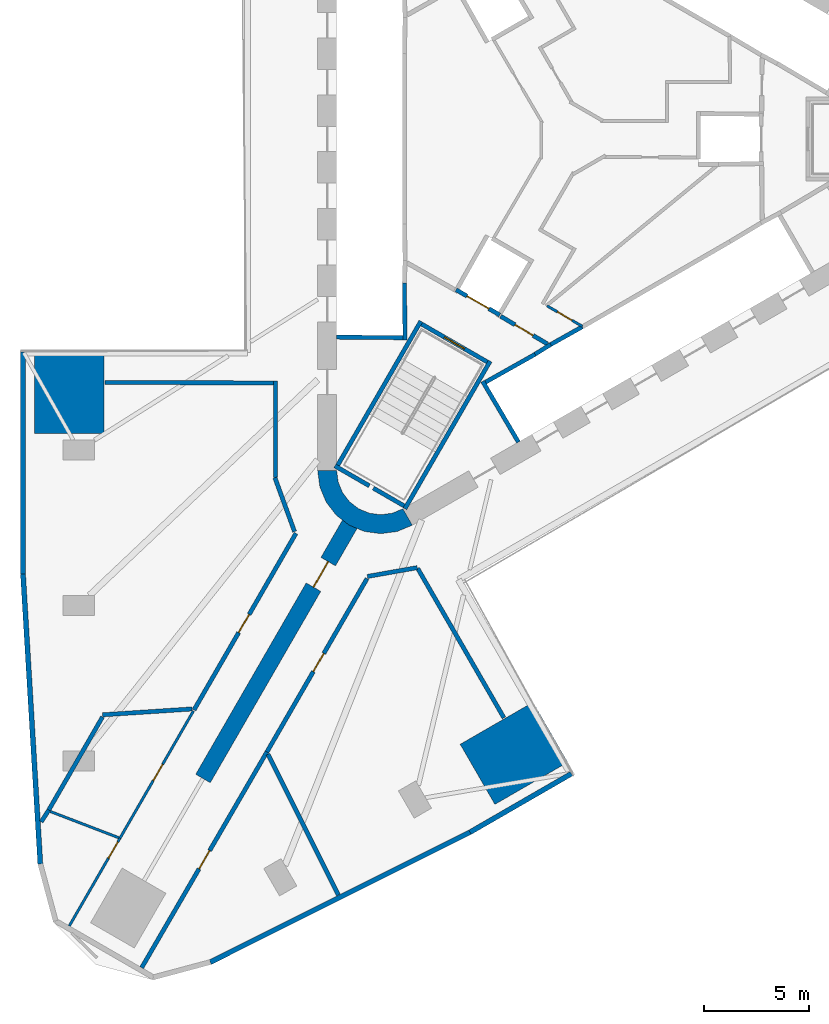
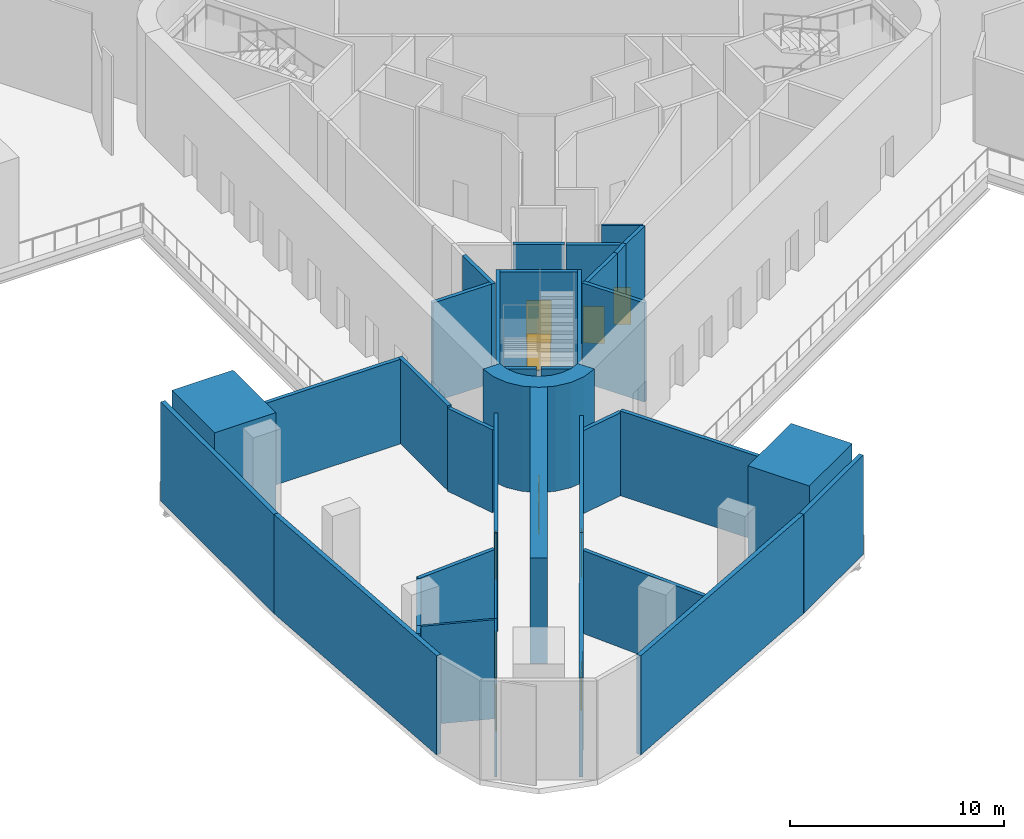
# One storey, part 3 of 11: 37 walls, 10 doors, 10 openings.
"""IFC4 building model written with IfcOpenShell, lengths in metres."""

from ifc_helpers import new_model, si_unit, direction, frame, frame_2d, origin, place, context, subcontext, project, spatial, polyline, rectangle, outline, extrude, material, layer, layer_set, type_object, element, fill, save


model = new_model("IFC4")

# Units and contexts
model_context = context("Model", 3, precision=1e-05, world=origin(), true_north=direction((0.0, 1.0)))
body_context = subcontext(model_context, "Body", "Model", "MODEL_VIEW")
ifc_project = project(units=[si_unit("LENGTHUNIT", "METRE"), si_unit("AREAUNIT", "SQUARE_METRE"), si_unit("VOLUMEUNIT", "CUBIC_METRE"), si_unit("PLANEANGLEUNIT", "RADIAN"), si_unit("MASSUNIT", "GRAM", prefix="KILO")], contexts=[model_context])

# Site, building, storey
site_placement = place(None, origin())
site = spatial("IfcSite", under=ifc_project, at=site_placement, CompositionType="ELEMENT")
building_placement = place(site_placement, origin())
building = spatial("IfcBuilding", under=site, at=building_placement, Name="Tanit Gate Tower", CompositionType="ELEMENT")
storey_placement = place(building_placement, frame((0.0, 0.0, 33.5)))
storey = spatial("IfcBuildingStorey", under=building, at=storey_placement, Name="L05", CompositionType="ELEMENT", Elevation=33.5)

# Wall, opening, door
ifc_material_1 = material(Name="Concrete C60/75", Category="concrete")
ifc_layer_1 = layer(ifc_material_1, 0.800048828125)
ifc_layer_set_1 = layer_set([ifc_layer_1], Name="BUTTRESS FIN 800 C60/75")
wall_type_1 = type_object("IfcWallType", Name="BUTTRESS FIN 800 C60/75", PredefinedType="SHEAR", material=ifc_layer_set_1)
wall_1_placement = place(storey_placement, frame((-10.574951171875, -18.31640625, 0.0), z_axis=(0.0, 0.0, 1.0), x_axis=(-0.499996575515, -0.866027380903, 0.0)))
wall_1 = element("IfcWall", 1, at=wall_1_placement, inside=storey, type_object=wall_type_1, Name="BUTTRESS FIN", PredefinedType="SHEAR", context=body_context, shape_type="SweptSolid", body=[
    extrude(rectangle(XDim=13.9541015625, YDim=0.800048828125, at=frame_2d((6.97705078125, 0.0))), origin(), (0.0, 0.0, 1.0), 6.0),
])
opening_1_placement = place(wall_1_placement, frame((2.050048828125, 0.0, 0.0)))
opening_1 = element("IfcOpeningElement", 2, at=opening_1_placement, cuts=wall_1, Name="Opening P14-05-F-SW-1", PredefinedType="OPENING", context=body_context, shape_type="SweptSolid", body=[
    extrude(rectangle(XDim=1.39990234375, YDim=2.39990234375, at=frame_2d((0.699951171875, 1.199951171875))), frame((0.0, 0.41015625, 0.0), z_axis=(0.0, -1.0, 0.0), x_axis=(1.0, 0.0, 0.0)), (0.0, 0.0, 1.0), 0.820068359375),
])
ifc_material_2 = material(Name="Timber door leaf", Category="wood")
door_type_1 = type_object("IfcDoorType", Name="INT-DOOR-FIN-PAIR-1400", OperationType="NOTDEFINED", PredefinedType="NOTDEFINED", material=ifc_material_2)
door_1_placement = place(opening_1_placement, origin())
door_1 = element("IfcDoor", 3, at=door_1_placement, inside=storey, type_object=door_type_1, Name="Door P14-05-F-SW-1", OperationType="DOUBLE_DOOR_SINGLE_SWING", OverallHeight=2.39990234375, OverallWidth=1.39990234375, PredefinedType="NOTDEFINED", context=body_context, shape_type="SweptSolid", body=[
    extrude(rectangle(XDim=1.39990234375, YDim=2.39990234375, at=frame_2d((0.699951171875, 1.199951171875))), frame((0.0, 0.02490234375, 0.0), z_axis=(0.0, -1.0, 0.0), x_axis=(1.0, 0.0, 0.0)), (0.0, 0.0, 1.0), 0.050048828125),
])
fill(opening_1, door_1)

# Walls
ifc_material_3 = material(Name="Concrete C60/75", Category="concrete")
ifc_layer_2 = layer(ifc_material_3, 0.89990234375)
ifc_layer_set_2 = layer_set([ifc_layer_2], Name="CORE WALL 900 C60/75")
wall_type_2 = type_object("IfcWallType", Name="CORE WALL 900 C60/75", PredefinedType="SHEAR", material=ifc_layer_set_2)
wall_2_placement = place(storey_placement, origin())
element("IfcWall", 4, at=wall_2_placement, inside=storey, type_object=wall_type_2, Name="CORE WALL CORNER", PredefinedType="SHEAR", context=body_context, shape_type="SweptSolid", body=[
    extrude(outline(polyline([(-12.10009765625, -15.76171875), (-11.997802734375, -16.5380859375), (-11.697998046875, -17.26171875), (-11.22119140625, -17.883056640625), (-10.60009765625, -18.359619140625), (-9.87646484375, -18.659423828125), (-9.10009765625, -18.76171875), (-8.323486328125, -18.659423828125), (-7.60009765625, -18.359619140625), (-8.050048828125, -17.580322265625), (-8.556396484375, -17.7900390625), (-9.10009765625, -17.86181640625), (-9.6435546875, -17.7900390625), (-10.14990234375, -17.580322265625), (-10.5849609375, -17.24658203125), (-10.918701171875, -16.811767578125), (-11.12841796875, -16.30517578125), (-11.199951171875, -15.76171875), (-12.10009765625, -15.76171875)])), origin(), (0.0, 0.0, 1.0), 6.0),
])
ifc_material_4 = material(Name="Concrete C30/37 with bronze anodised aluminium cladding", Category="concrete")
ifc_layer_3 = layer(ifc_material_4, 0.239990234375)
ifc_layer_set_3 = layer_set([ifc_layer_3], Name="Facade wall bronze clad 240")
wall_type_3 = type_object("IfcWallType", Name="Facade wall bronze clad 240", PredefinedType="SOLIDWALL", material=ifc_layer_set_3)
wall_3_placement = place(storey_placement, frame((-26.107666015625, -10.119384765625, 0.0), z_axis=(0.0, 0.0, 1.0), x_axis=(6.9319284e-05, -0.999999997597, 0.0)))
element("IfcWall", 5, at=wall_3_placement, inside=storey, type_object=wall_type_3, Name="Bronze-clad facade wall L05 W2b", PredefinedType="SOLIDWALL", context=body_context, shape_type="SweptSolid", body=[
    extrude(rectangle(XDim=10.56591796875, YDim=0.239990234375, at=frame_2d((5.282958984375, 0.0))), origin(), (0.0, 0.0, 1.0), 5.64990234375),
])
wall_4_placement = place(storey_placement, frame((-26.10693359375, -20.685302734375, 0.0), z_axis=(0.0, 0.0, 1.0), x_axis=(0.059596169304, -0.998222568671, 0.0)))
element("IfcWall", 6, at=wall_4_placement, inside=storey, type_object=wall_type_3, Name="Bronze-clad facade wall L05 W3", PredefinedType="SOLIDWALL", context=body_context, shape_type="SweptSolid", body=[
    extrude(rectangle(XDim=13.80126953125, YDim=0.239990234375, at=frame_2d((6.900634765625, 0.0))), origin(), (0.0, 0.0, 1.0), 5.64990234375),
])
wall_5_placement = place(storey_placement, frame((-17.202880859375, -39.1279296875, 0.0), z_axis=(0.0, 0.0, 1.0), x_axis=(0.894377655106, 0.447312653573, 0.0)))
element("IfcWall", 7, at=wall_5_placement, inside=storey, type_object=wall_type_3, Name="Bronze-clad facade wall L05 SE1", PredefinedType="SOLIDWALL", context=body_context, shape_type="SweptSolid", body=[
    extrude(rectangle(XDim=13.801513671875, YDim=0.239990234375, at=frame_2d((6.90087890625, 0.0))), origin(), (0.0, 0.0, 1.0), 5.64990234375),
])
wall_6_placement = place(storey_placement, frame((-4.859130859375, -32.954345703125, 0.0), z_axis=(0.0, 0.0, 1.0), x_axis=(0.865999312459, 0.500045188778, 0.0)))
element("IfcWall", 8, at=wall_6_placement, inside=storey, type_object=wall_type_3, Name="Bronze-clad facade wall L05 SE2a", PredefinedType="SOLIDWALL", context=body_context, shape_type="SweptSolid", body=[
    extrude(rectangle(XDim=5.56591796875, YDim=0.239990234375, at=frame_2d((2.782958984375, 0.0))), origin(), (0.0, 0.0, 1.0), 5.64990234375),
])

# Wall, opening, door
ifc_material_5 = material(Name="Fire-rated gypsum board partition")
ifc_layer_4 = layer(ifc_material_5, 0.199951171875)
ifc_layer_set_4 = layer_set([ifc_layer_4], Name="INT-WALL-COMPARTMENT")
wall_type_4 = type_object("IfcWallType", Name="INT-WALL-COMPARTMENT", PredefinedType="PARTITIONING", material=ifc_layer_set_4)
wall_7_placement = place(storey_placement, frame((-3.400634765625, -8.43017578125, 0.0), z_axis=(0.0, 0.0, 1.0), x_axis=(0.860598681535, -0.509283721849, 0.0)))
wall_7 = element("IfcWall", 9, at=wall_7_placement, inside=storey, type_object=wall_type_4, Name="Wall Compartment W068", PredefinedType="PARTITIONING", context=body_context, shape_type="SweptSolid", body=[
    extrude(rectangle(XDim=2.5810546875, YDim=0.199951171875, at=frame_2d((1.29052734375, 0.0))), origin(), (0.0, 0.0, 1.0), 5.64990234375),
])
opening_2_placement = place(wall_7_placement, frame((0.79052734375, 0.0, 0.0)))
opening_2 = element("IfcOpeningElement", 10, at=opening_2_placement, cuts=wall_7, Name="Opening F10-05-08", PredefinedType="OPENING", context=body_context, shape_type="SweptSolid", body=[
    extrude(rectangle(XDim=1.0, YDim=2.10009765625, at=frame_2d((0.5, 1.050048828125))), frame((0.0, 0.10986328125, 0.0), z_axis=(0.0, -1.0, 0.0), x_axis=(1.0, 0.0, 0.0)), (0.0, 0.0, 1.0), 0.219970703125),
])
ifc_material_6 = material(Name="Fire-rated steel door leaf", Category="steel")
door_type_2 = type_object("IfcDoorType", Name="INT-DOOR-FIRE-1000", OperationType="NOTDEFINED", PredefinedType="USERDEFINED", material=ifc_material_6)
door_2_placement = place(opening_2_placement, origin())
door_2 = element("IfcDoor", 11, at=door_2_placement, inside=storey, type_object=door_type_2, Name="Door F10-05-08", ObjectType="FIRE DOOR", OperationType="SINGLE_SWING_LEFT", OverallHeight=2.10009765625, OverallWidth=1.0, PredefinedType="USERDEFINED", context=body_context, shape_type="SweptSolid", body=[
    extrude(rectangle(XDim=1.0, YDim=2.10009765625, at=frame_2d((0.5, 1.050048828125))), frame((0.0, 0.02490234375, 0.0), z_axis=(0.0, -1.0, 0.0), x_axis=(1.0, 0.0, 0.0)), (0.0, 0.0, 1.0), 0.050048828125),
])
fill(opening_2, door_2)

wall_8_placement = place(storey_placement, frame((-17.98046875, -27.14306640625, 0.0), z_axis=(0.0, 0.0, 1.0), x_axis=(0.499987665054, 0.866032525252, 0.0)))
wall_8 = element("IfcWall", 12, at=wall_8_placement, inside=storey, type_object=wall_type_4, Name="Wall Compartment W091", PredefinedType="PARTITIONING", context=body_context, shape_type="SweptSolid", body=[
    extrude(rectangle(XDim=9.695068359375, YDim=0.199951171875, at=frame_2d((4.84765625, 0.0))), origin(), (0.0, 0.0, 1.0), 5.64990234375),
])
opening_3_placement = place(wall_8_placement, frame((4.248779296875, 0.0, 0.0)))
opening_3 = element("IfcOpeningElement", 13, at=opening_3_placement, cuts=wall_8, Name="Opening F10-05-16", PredefinedType="OPENING", context=body_context, shape_type="SweptSolid", body=[
    extrude(rectangle(XDim=1.0, YDim=2.10009765625, at=frame_2d((0.5, 1.050048828125))), frame((0.0, 0.10986328125, 0.0), z_axis=(0.0, -1.0, 0.0), x_axis=(1.0, 0.0, 0.0)), (0.0, 0.0, 1.0), 0.219970703125),
])
door_3_placement = place(opening_3_placement, origin())
door_3 = element("IfcDoor", 14, at=door_3_placement, inside=storey, type_object=door_type_2, Name="Door F10-05-16", ObjectType="FIRE DOOR", OperationType="SINGLE_SWING_RIGHT", OverallHeight=2.10009765625, OverallWidth=1.0, PredefinedType="USERDEFINED", context=body_context, shape_type="SweptSolid", body=[
    extrude(rectangle(XDim=1.0, YDim=2.10009765625, at=frame_2d((0.5, 1.050048828125))), frame((0.0, 0.02490234375, 0.0), z_axis=(0.0, -1.0, 0.0), x_axis=(1.0, 0.0, 0.0)), (0.0, 0.0, 1.0), 0.050048828125),
])
fill(opening_3, door_3)

# Walls
wall_9_placement = place(storey_placement, frame((-14.13427734375, -16.099609375, 0.0), z_axis=(0.0, 0.0, 1.0), x_axis=(0.341951326322, -0.939717665273, 0.0)))
element("IfcWall", 15, at=wall_9_placement, inside=storey, type_object=wall_type_4, Name="Wall Compartment W092", PredefinedType="PARTITIONING", context=body_context, shape_type="SweptSolid", body=[
    extrude(rectangle(XDim=2.7294921875, YDim=0.199951171875, at=frame_2d((1.36474609375, 0.0))), origin(), (0.0, 0.0, 1.0), 4.72998046875),
])
wall_10_placement = place(storey_placement, frame((-14.10009765625, -11.50146484375, 0.0), z_axis=(0.0, 0.0, 1.0), x_axis=(0.0, -1.0, 0.0)))
element("IfcWall", 16, at=wall_10_placement, inside=storey, type_object=wall_type_4, Name="Wall Compartment W093", PredefinedType="PARTITIONING", context=body_context, shape_type="SweptSolid", body=[
    extrude(rectangle(XDim=4.59228515625, YDim=0.199951171875, at=frame_2d((2.296142578125, 0.0))), origin(), (0.0, 0.0, 1.0), 4.830078125),
])
wall_11_placement = place(storey_placement, frame((-22.203369140625, -11.570068359375, 0.0), z_axis=(0.0, 0.0, 1.0), x_axis=(0.999992495389, -0.003874166344, 0.0)))
element("IfcWall", 17, at=wall_11_placement, inside=storey, type_object=wall_type_4, Name="Wall Compartment W094", PredefinedType="PARTITIONING", context=body_context, shape_type="SweptSolid", body=[
    extrude(rectangle(XDim=8.003173828125, YDim=0.199951171875, at=frame_2d((4.00146484375, 0.0))), origin(), (0.0, 0.0, 1.0), 4.830078125),
])
wall_12_placement = place(storey_placement, frame((-22.3212890625, -27.37255859375, 0.0), z_axis=(0.0, 0.0, 1.0), x_axis=(0.997859032733, 0.065401458642, 0.0)))
element("IfcWall", 18, at=wall_12_placement, inside=storey, type_object=wall_type_4, Name="Wall Compartment W098", PredefinedType="PARTITIONING", context=body_context, shape_type="SweptSolid", body=[
    extrude(rectangle(XDim=4.262939453125, YDim=0.199951171875, at=frame_2d((2.13134765625, 0.0))), origin(), (0.0, 0.0, 1.0), 4.72998046875),
])
wall_13_placement = place(storey_placement, frame((-24.932373046875, -31.984130859375, 0.0), z_axis=(0.0, 0.0, 1.0), x_axis=(0.500010513267, 0.866019333862, 0.0)))
element("IfcWall", 19, at=wall_13_placement, inside=storey, type_object=wall_type_4, Name="Wall Compartment W099", PredefinedType="PARTITIONING", context=body_context, shape_type="SweptSolid", body=[
    extrude(rectangle(XDim=5.208984375, YDim=0.199951171875, at=frame_2d((2.6044921875, 0.0))), origin(), (0.0, 0.0, 1.0), 4.72998046875),
])
wall_14_placement = place(storey_placement, frame((-25.24072265625, -32.458251953125, 0.0), z_axis=(0.0, 0.0, 1.0), x_axis=(0.540924282728, 0.841071293266, 0.0)))
element("IfcWall", 20, at=wall_14_placement, inside=storey, type_object=wall_type_4, Name="Wall Compartment W100", PredefinedType="PARTITIONING", context=body_context, shape_type="SweptSolid", body=[
    extrude(rectangle(XDim=0.666259765625, YDim=0.199951171875, at=frame_2d((0.3330078125, 0.0))), origin(), (0.0, 0.0, 1.0), 5.64990234375),
])

# Wall, opening, door
wall_15_placement = place(storey_placement, frame((-14.51416015625, -29.138916015625, 0.0), z_axis=(0.0, 0.0, 1.0), x_axis=(-0.502061989067, -0.864831636294, 0.0)))
wall_15 = element("IfcWall", 21, at=wall_15_placement, inside=storey, type_object=wall_type_4, Name="Wall Compartment W114", PredefinedType="PARTITIONING", context=body_context, shape_type="SweptSolid", body=[
    extrude(rectangle(XDim=11.85546875, YDim=0.199951171875, at=frame_2d((5.927734375, 0.0))), origin(), (0.0, 0.0, 1.0), 5.64990234375),
])
opening_4_placement = place(wall_15_placement, frame((5.42138671875, 0.0, 0.0)))
opening_4 = element("IfcOpeningElement", 22, at=opening_4_placement, cuts=wall_15, Name="Opening F10-05-21", PredefinedType="OPENING", context=body_context, shape_type="SweptSolid", body=[
    extrude(rectangle(XDim=1.0, YDim=2.10009765625, at=frame_2d((0.5, 1.050048828125))), frame((0.0, 0.10986328125, 0.0), z_axis=(0.0, -1.0, 0.0), x_axis=(1.0, 0.0, 0.0)), (0.0, 0.0, 1.0), 0.219970703125),
])
door_4_placement = place(opening_4_placement, origin())
door_4 = element("IfcDoor", 23, at=door_4_placement, inside=storey, type_object=door_type_2, Name="Door F10-05-21", ObjectType="FIRE DOOR", OperationType="SINGLE_SWING_LEFT", OverallHeight=2.10009765625, OverallWidth=1.0, PredefinedType="USERDEFINED", context=body_context, shape_type="SweptSolid", body=[
    extrude(rectangle(XDim=1.0, YDim=2.10009765625, at=frame_2d((0.5, 1.050048828125))), frame((0.0, 0.02490234375, 0.0), z_axis=(0.0, -1.0, 0.0), x_axis=(1.0, 0.0, 0.0)), (0.0, 0.0, 1.0), 0.050048828125),
])
fill(opening_4, door_4)

# Wall
wall_16_placement = place(storey_placement, frame((-9.738037109375, -20.795654296875, 0.0), z_axis=(0.0, 0.0, 1.0), x_axis=(0.984780494406, 0.173802698013, 0.0)))
element("IfcWall", 24, at=wall_16_placement, inside=storey, type_object=wall_type_4, Name="Wall Compartment W115", PredefinedType="PARTITIONING", context=body_context, shape_type="SweptSolid", body=[
    extrude(rectangle(XDim=2.40625, YDim=0.199951171875, at=frame_2d((1.203125, 0.0))), origin(), (0.0, 0.0, 1.0), 4.72998046875),
])

# Wall, opening, door
wall_17_placement = place(storey_placement, frame((-9.757568359375, -20.900634765625, 0.0), z_axis=(0.0, 0.0, 1.0), x_axis=(-0.499997931106, -0.866026598257, 0.0)))
wall_17 = element("IfcWall", 25, at=wall_17_placement, inside=storey, type_object=wall_type_4, Name="Wall Compartment W116", PredefinedType="PARTITIONING", context=body_context, shape_type="SweptSolid", body=[
    extrude(rectangle(XDim=9.5126953125, YDim=0.199951171875, at=frame_2d((4.75634765625, 0.0))), origin(), (0.0, 0.0, 1.0), 5.64990234375),
])
opening_5_placement = place(wall_17_placement, frame((4.099609375, 0.0, 0.0)))
opening_5 = element("IfcOpeningElement", 26, at=opening_5_placement, cuts=wall_17, Name="Opening F10-05-22", PredefinedType="OPENING", context=body_context, shape_type="SweptSolid", body=[
    extrude(rectangle(XDim=1.0, YDim=2.10009765625, at=frame_2d((0.5, 1.050048828125))), frame((0.0, 0.10986328125, 0.0), z_axis=(0.0, -1.0, 0.0), x_axis=(1.0, 0.0, 0.0)), (0.0, 0.0, 1.0), 0.219970703125),
])
door_5_placement = place(opening_5_placement, origin())
door_5 = element("IfcDoor", 27, at=door_5_placement, inside=storey, type_object=door_type_2, Name="Door F10-05-22", ObjectType="FIRE DOOR", OperationType="SINGLE_SWING_RIGHT", OverallHeight=2.10009765625, OverallWidth=1.0, PredefinedType="USERDEFINED", context=body_context, shape_type="SweptSolid", body=[
    extrude(rectangle(XDim=1.0, YDim=2.10009765625, at=frame_2d((0.5, 1.050048828125))), frame((0.0, 0.02490234375, 0.0), z_axis=(0.0, -1.0, 0.0), x_axis=(1.0, 0.0, 0.0)), (0.0, 0.0, 1.0), 0.050048828125),
])
fill(opening_5, door_5)

# Walls
wall_18_placement = place(storey_placement, frame((-7.35009765625, -20.409423828125, 0.0), z_axis=(0.0, 0.0, 1.0), x_axis=(0.500015278874, -0.866016582343, 0.0)))
element("IfcWall", 28, at=wall_18_placement, inside=storey, type_object=wall_type_4, Name="Wall Compartment W117", PredefinedType="PARTITIONING", context=body_context, shape_type="SweptSolid", body=[
    extrude(rectangle(XDim=8.203369140625, YDim=0.199951171875, at=frame_2d((4.1015625, 0.0))), origin(), (0.0, 0.0, 1.0), 4.830078125),
])
wall_19_placement = place(storey_placement, frame((-14.4619140625, -29.248291015625, 0.0), z_axis=(0.0, 0.0, 1.0), x_axis=(0.447304919826, -0.894381523009, 0.0)))
element("IfcWall", 29, at=wall_19_placement, inside=storey, type_object=wall_type_4, Name="Wall Compartment W122", PredefinedType="PARTITIONING", context=body_context, shape_type="SweptSolid", body=[
    extrude(rectangle(XDim=7.485107421875, YDim=0.199951171875, at=frame_2d((3.74267578125, 0.0))), origin(), (0.0, 0.0, 1.0), 4.72998046875),
])

# Wall, opening, door
ifc_material_7 = material(Name="Gypsum board partition")
ifc_layer_5 = layer(ifc_material_7, 0.1201171875)
ifc_layer_set_5 = layer_set([ifc_layer_5], Name="INT-WALL-PARTITION")
wall_type_5 = type_object("IfcWallType", Name="INT-WALL-PARTITION", PredefinedType="PARTITIONING", material=ifc_layer_set_5)
wall_20_placement = place(storey_placement, frame((-1.19482421875, -7.936279296875, 0.0), z_axis=(0.0, 0.0, 1.0), x_axis=(0.864964234746, -0.501833510848, 0.0)))
wall_20 = element("IfcWall", 30, at=wall_20_placement, inside=storey, type_object=wall_type_5, Name="Wall Partition W078", PredefinedType="PARTITIONING", context=body_context, shape_type="SweptSolid", body=[
    extrude(rectangle(XDim=1.930908203125, YDim=0.1201171875, at=frame_2d((0.96533203125, 0.0))), origin(), (0.0, 0.0, 1.0), 5.64990234375),
])
opening_6_placement = place(wall_20_placement, frame((0.5654296875, 0.0, 0.0)))
opening_6 = element("IfcOpeningElement", 31, at=opening_6_placement, cuts=wall_20, Name="Opening R08-05-12", PredefinedType="OPENING", context=body_context, shape_type="SweptSolid", body=[
    extrude(rectangle(XDim=0.800048828125, YDim=2.10009765625, at=frame_2d((0.39990234375, 1.050048828125))), frame((0.0, 0.070068359375, 0.0), z_axis=(0.0, -1.0, 0.0), x_axis=(1.0, 0.0, 0.0)), (0.0, 0.0, 1.0), 0.14013671875),
])
ifc_material_8 = material(Name="Timber door leaf", Category="wood")
door_type_3 = type_object("IfcDoorType", Name="INT-DOOR-RISER-800", OperationType="NOTDEFINED", PredefinedType="USERDEFINED", material=ifc_material_8)
door_6_placement = place(opening_6_placement, origin())
door_6 = element("IfcDoor", 32, at=door_6_placement, inside=storey, type_object=door_type_3, Name="Door R08-05-12", ObjectType="FIRE DOOR", OperationType="SINGLE_SWING_LEFT", OverallHeight=2.10009765625, OverallWidth=0.800048828125, PredefinedType="USERDEFINED", context=body_context, shape_type="SweptSolid", body=[
    extrude(rectangle(XDim=0.800048828125, YDim=2.10009765625, at=frame_2d((0.39990234375, 1.050048828125))), frame((0.0, 0.02490234375, 0.0), z_axis=(0.0, -1.0, 0.0), x_axis=(1.0, 0.0, 0.0)), (0.0, 0.0, 1.0), 0.050048828125),
])
fill(opening_6, door_6)

wall_21_placement = place(storey_placement, frame((-23.90576171875, -37.406005859375, 0.0), z_axis=(0.0, 0.0, 1.0), x_axis=(0.500013369766, 0.866017684609, 0.0)))
wall_21 = element("IfcWall", 33, at=wall_21_placement, inside=storey, type_object=wall_type_5, Name="Wall Partition W097", PredefinedType="PARTITIONING", context=body_context, shape_type="SweptSolid", body=[
    extrude(rectangle(XDim=4.818603515625, YDim=0.1201171875, at=frame_2d((2.4091796875, 0.0))), origin(), (0.0, 0.0, 1.0), 5.64990234375),
])
opening_7_placement = place(wall_21_placement, frame((3.713623046875, 0.0, 0.0)))
opening_7 = element("IfcOpeningElement", 34, at=opening_7_placement, cuts=wall_21, Name="Opening D09-05-26", PredefinedType="OPENING", context=body_context, shape_type="SweptSolid", body=[
    extrude(rectangle(XDim=0.89990234375, YDim=2.10009765625, at=frame_2d((0.449951171875, 1.050048828125))), frame((0.0, 0.070068359375, 0.0), z_axis=(0.0, -1.0, 0.0), x_axis=(1.0, 0.0, 0.0)), (0.0, 0.0, 1.0), 0.14013671875),
])
ifc_material_9 = material(Name="Timber door leaf", Category="wood")
door_type_4 = type_object("IfcDoorType", Name="INT-DOOR-SINGLE-900", OperationType="NOTDEFINED", PredefinedType="NOTDEFINED", material=ifc_material_9)
door_7_placement = place(opening_7_placement, origin())
door_7 = element("IfcDoor", 35, at=door_7_placement, inside=storey, type_object=door_type_4, Name="Door D09-05-26", OperationType="SINGLE_SWING_RIGHT", OverallHeight=2.10009765625, OverallWidth=0.89990234375, PredefinedType="NOTDEFINED", context=body_context, shape_type="SweptSolid", body=[
    extrude(rectangle(XDim=0.89990234375, YDim=2.10009765625, at=frame_2d((0.449951171875, 1.050048828125))), frame((0.0, 0.02490234375, 0.0), z_axis=(0.0, -1.0, 0.0), x_axis=(1.0, 0.0, 0.0)), (0.0, 0.0, 1.0), 0.050048828125),
])
fill(opening_7, door_7)

wall_22_placement = place(storey_placement, frame((-21.496337890625, -33.23291015625, 0.0), z_axis=(0.0, 0.0, 1.0), x_axis=(0.500000091514, 0.866025350949, 0.0)))
wall_22 = element("IfcWall", 36, at=wall_22_placement, inside=storey, type_object=wall_type_5, Name="Wall Partition W095", PredefinedType="PARTITIONING", context=body_context, shape_type="SweptSolid", body=[
    extrude(rectangle(XDim=6.9775390625, YDim=0.1201171875, at=frame_2d((3.48876953125, 0.0))), origin(), (0.0, 0.0, 1.0), 5.64990234375),
])
opening_8_placement = place(wall_22_placement, frame((3.148193359375, 0.0, 0.0)))
opening_8 = element("IfcOpeningElement", 37, at=opening_8_placement, cuts=wall_22, Name="Opening D09-05-17", PredefinedType="OPENING", context=body_context, shape_type="SweptSolid", body=[
    extrude(rectangle(XDim=0.89990234375, YDim=2.10009765625, at=frame_2d((0.449951171875, 1.050048828125))), frame((0.0, 0.070068359375, 0.0), z_axis=(0.0, -1.0, 0.0), x_axis=(1.0, 0.0, 0.0)), (0.0, 0.0, 1.0), 0.14013671875),
])
door_8_placement = place(opening_8_placement, origin())
door_8 = element("IfcDoor", 38, at=door_8_placement, inside=storey, type_object=door_type_4, Name="Door D09-05-17", OperationType="SINGLE_SWING_RIGHT", OverallHeight=2.10009765625, OverallWidth=0.89990234375, PredefinedType="NOTDEFINED", context=body_context, shape_type="SweptSolid", body=[
    extrude(rectangle(XDim=0.89990234375, YDim=2.10009765625, at=frame_2d((0.449951171875, 1.050048828125))), frame((0.0, 0.02490234375, 0.0), z_axis=(0.0, -1.0, 0.0), x_axis=(1.0, 0.0, 0.0)), (0.0, 0.0, 1.0), 0.050048828125),
])
fill(opening_8, door_8)

# Walls
wall_23_placement = place(storey_placement, frame((-24.8076171875, -31.96826171875, 0.0), z_axis=(0.0, 0.0, 1.0), x_axis=(0.933675816779, -0.358119350445, 0.0)))
element("IfcWall", 39, at=wall_23_placement, inside=storey, type_object=wall_type_5, Name="Wall Partition W101", PredefinedType="PARTITIONING", context=body_context, shape_type="SweptSolid", body=[
    extrude(rectangle(XDim=3.48291015625, YDim=0.1201171875, at=frame_2d((1.741455078125, 0.0))), origin(), (0.0, 0.0, 1.0), 5.64990234375),
])
ifc_material_10 = material(Name="Gypsum shaft wall system")
ifc_layer_6 = layer(ifc_material_10, 0.199951171875)
ifc_layer_set_6 = layer_set([ifc_layer_6], Name="INT-WALL-SHAFT")
wall_type_6 = type_object("IfcWallType", Name="INT-WALL-SHAFT", PredefinedType="PLUMBINGWALL", material=ifc_layer_set_6)
wall_24_placement = place(storey_placement, frame((-7.97900390625, -6.85009765625, 0.0), z_axis=(0.0, 0.0, 1.0), x_axis=(0.011121475088, -0.999938154483, 0.0)))
element("IfcWall", 40, at=wall_24_placement, inside=storey, type_object=wall_type_6, Name="Wall Shaft W011", PredefinedType="PLUMBINGWALL", context=body_context, shape_type="SweptSolid", body=[
    extrude(rectangle(XDim=2.7001953125, YDim=0.199951171875, at=frame_2d((1.35009765625, 0.0))), origin(), (0.0, 0.0, 1.0), 5.64990234375),
])
wall_25_placement = place(storey_placement, frame((-8.050048828125, -9.448974609375, 0.0), z_axis=(0.0, 0.0, 1.0), x_axis=(-0.999957467379, 0.009222983926, 0.0)))
element("IfcWall", 41, at=wall_25_placement, inside=storey, type_object=wall_type_6, Name="Wall Shaft W012", PredefinedType="PLUMBINGWALL", context=body_context, shape_type="SweptSolid", body=[
    extrude(rectangle(XDim=3.150146484375, YDim=0.199951171875, at=frame_2d((1.5751953125, 0.0))), origin(), (0.0, 0.0, 1.0), 5.64990234375),
])
wall_26_placement = place(storey_placement, frame((-2.557861328125, -14.409423828125, 0.0), z_axis=(0.0, 0.0, 1.0), x_axis=(-0.507997497166, 0.861358544901, 0.0)))
element("IfcWall", 42, at=wall_26_placement, inside=storey, type_object=wall_type_6, Name="Wall Shaft W027", PredefinedType="PLUMBINGWALL", context=body_context, shape_type="SweptSolid", body=[
    extrude(rectangle(XDim=3.350341796875, YDim=0.199951171875, at=frame_2d((1.67529296875, 0.0))), origin(), (0.0, 0.0, 1.0), 5.64990234375),
])
wall_27_placement = place(storey_placement, frame((-1.7685546875, -10.23681640625, 0.0), z_axis=(0.0, 0.0, 1.0), x_axis=(-0.871534483978, -0.490334215854, 0.0)))
element("IfcWall", 43, at=wall_27_placement, inside=storey, type_object=wall_type_6, Name="Wall Shaft W028", PredefinedType="PLUMBINGWALL", context=body_context, shape_type="SweptSolid", body=[
    extrude(rectangle(XDim=2.7001953125, YDim=0.199951171875, at=frame_2d((1.35009765625, 0.0))), origin(), (0.0, 0.0, 1.0), 5.64990234375),
])
wall_28_placement = place(storey_placement, frame((-1.02392578125, -9.77099609375, 0.0), z_axis=(0.0, 0.0, 1.0), x_axis=(-0.850348075135, -0.526220629693, 0.0)))
element("IfcWall", 44, at=wall_28_placement, inside=storey, type_object=wall_type_6, Name="Wall Shaft W029", PredefinedType="PLUMBINGWALL", context=body_context, shape_type="SweptSolid", body=[
    extrude(rectangle(XDim=0.878173828125, YDim=0.199951171875, at=frame_2d((0.43896484375, 0.0))), origin(), (0.0, 0.0, 1.0), 5.64990234375),
])
wall_29_placement = place(storey_placement, frame((-1.13037109375, -9.83154296875, 0.0), z_axis=(0.0, 0.0, 1.0), x_axis=(0.871988740738, 0.489525929882, 0.0)))
element("IfcWall", 45, at=wall_29_placement, inside=storey, type_object=wall_type_6, Name="Wall Shaft W030", PredefinedType="PLUMBINGWALL", context=body_context, shape_type="SweptSolid", body=[
    extrude(rectangle(XDim=1.8447265625, YDim=0.199951171875, at=frame_2d((0.92236328125, 0.0))), origin(), (0.0, 0.0, 1.0), 5.64990234375),
])

# Wall, opening, door
wall_30_placement = place(storey_placement, frame((-3.44580078125, -8.3681640625, 0.0), z_axis=(0.0, 0.0, 1.0), x_axis=(-0.866024647952, 0.500001309137, 0.0)))
wall_30 = element("IfcWall", 46, at=wall_30_placement, inside=storey, type_object=wall_type_6, Name="Wall Shaft W057", PredefinedType="PLUMBINGWALL", context=body_context, shape_type="SweptSolid", body=[
    extrude(rectangle(XDim=2.39990234375, YDim=0.199951171875, at=frame_2d((1.199951171875, 0.0))), origin(), (0.0, 0.0, 1.0), 5.64990234375),
])
opening_9_placement = place(wall_30_placement, frame((0.60009765625, 0.0, 0.0)))
opening_9 = element("IfcOpeningElement", 47, at=opening_9_placement, cuts=wall_30, Name="Opening LDFL3-L05", PredefinedType="OPENING", context=body_context, shape_type="SweptSolid", body=[
    extrude(rectangle(XDim=1.199951171875, YDim=2.39990234375, at=frame_2d((0.60009765625, 1.199951171875))), frame((0.0, 0.10986328125, 0.0), z_axis=(0.0, -1.0, 0.0), x_axis=(1.0, 0.0, 0.0)), (0.0, 0.0, 1.0), 0.219970703125),
])
ifc_material_11 = material(Name="Stainless steel sliding door leaf", Category="steel")
door_type_5 = type_object("IfcDoorType", Name="INT-DOOR-LANDING-1200", OperationType="NOTDEFINED", PredefinedType="USERDEFINED", material=ifc_material_11)
door_9_placement = place(opening_9_placement, origin())
door_9 = element("IfcDoor", 48, at=door_9_placement, inside=storey, type_object=door_type_5, Name="Door LDFL3-L05", ObjectType="LANDING DOOR", OperationType="SLIDING_TO_LEFT", OverallHeight=2.39990234375, OverallWidth=1.199951171875, PredefinedType="USERDEFINED", context=body_context, shape_type="SweptSolid", body=[
    extrude(rectangle(XDim=1.199951171875, YDim=2.39990234375, at=frame_2d((0.60009765625, 1.199951171875))), frame((0.0, 0.02490234375, 0.0), z_axis=(0.0, -1.0, 0.0), x_axis=(1.0, 0.0, 0.0)), (0.0, 0.0, 1.0), 0.050048828125),
])
fill(opening_9, door_9)

# Walls
ifc_material_12 = material(Name="Concrete C40/50", Category="concrete")
ifc_layer_7 = layer(ifc_material_12, 0.199951171875)
ifc_layer_set_7 = layer_set([ifc_layer_7], Name="INT-WALL-STAIR")
wall_type_7 = type_object("IfcWallType", Name="INT-WALL-STAIR", PredefinedType="SHEAR", material=ifc_layer_set_7)
wall_31_placement = place(storey_placement, frame((-3.904541015625, -10.56298828125, -0.300048828125), z_axis=(0.0, 0.0, 1.0), x_axis=(-0.500012932018, -0.866017937352, 0.0)))
element("IfcWall", 49, at=wall_31_placement, inside=storey, type_object=wall_type_7, Name="Wall Stair W052", PredefinedType="SHEAR", context=body_context, shape_type="SweptSolid", body=[
    extrude(rectangle(XDim=8.099853515625, YDim=0.199951171875, at=frame_2d((4.0498046875, 0.0))), origin(), (0.0, 0.0, 1.0), 5.949951171875),
])
wall_32_placement = place(storey_placement, frame((-11.281982421875, -15.541015625, -0.300048828125), z_axis=(0.0, 0.0, 1.0), x_axis=(0.866000578957, -0.500042995397, 0.0)))
element("IfcWall", 50, at=wall_32_placement, inside=storey, type_object=wall_type_7, Name="Wall Stair W054", PredefinedType="SHEAR", context=body_context, shape_type="SweptSolid", body=[
    extrude(rectangle(XDim=1.889892578125, YDim=0.199951171875, at=frame_2d((0.94482421875, 0.0))), origin(), (0.0, 0.0, 1.0), 5.949951171875),
])
wall_33_placement = place(storey_placement, frame((-9.454833984375, -16.59619140625, -0.300048828125), z_axis=(0.0, 0.0, 1.0), x_axis=(0.866038843867, -0.499976720371, 0.0)))
element("IfcWall", 51, at=wall_33_placement, inside=storey, type_object=wall_type_7, Name="Wall Stair W053", PredefinedType="SHEAR", context=body_context, shape_type="SweptSolid", body=[
    extrude(rectangle(XDim=1.68994140625, YDim=0.199951171875, at=frame_2d((0.844970703125, 0.0))), origin(), (0.0, 0.0, 1.0), 5.949951171875),
])
wall_34_placement = place(storey_placement, frame((-7.195556640625, -8.662841796875, -0.300048828125), z_axis=(0.0, 0.0, 1.0), x_axis=(-0.499997992926, -0.866026562566, 0.0)))
element("IfcWall", 52, at=wall_34_placement, inside=storey, type_object=wall_type_7, Name="Wall Stair W055", PredefinedType="SHEAR", context=body_context, shape_type="SweptSolid", body=[
    extrude(rectangle(XDim=7.89990234375, YDim=0.199951171875, at=frame_2d((3.949951171875, 0.0))), origin(), (0.0, 0.0, 1.0), 5.949951171875),
])

# Wall, opening, door
wall_35_placement = place(storey_placement, frame((-4.041259765625, -10.599365234375, -0.300048828125), z_axis=(0.0, 0.0, 1.0), x_axis=(-0.866047807691, 0.499961193289, 0.0)))
wall_35 = element("IfcWall", 53, at=wall_35_placement, inside=storey, type_object=wall_type_7, Name="Wall Stair W056", PredefinedType="SHEAR", context=body_context, shape_type="SweptSolid", body=[
    extrude(rectangle(XDim=3.599853515625, YDim=0.199951171875, at=frame_2d((1.7998046875, 0.0))), origin(), (0.0, 0.0, 1.0), 5.949951171875),
])
opening_10_placement = place(wall_35_placement, frame((1.25, 0.0, 0.300048828125)))
opening_10 = element("IfcOpeningElement", 54, at=opening_10_placement, cuts=wall_35, Name="Opening S11-05-07", PredefinedType="OPENING", context=body_context, shape_type="SweptSolid", body=[
    extrude(rectangle(XDim=1.10009765625, YDim=2.10009765625, at=frame_2d((0.550048828125, 1.050048828125))), frame((0.0, 0.10986328125, 0.0), z_axis=(0.0, -1.0, 0.0), x_axis=(1.0, 0.0, 0.0)), (0.0, 0.0, 1.0), 0.219970703125),
])
ifc_material_13 = material(Name="Timber door leaf", Category="wood")
door_type_6 = type_object("IfcDoorType", Name="INT-DOOR-STAIR-1100", OperationType="NOTDEFINED", PredefinedType="USERDEFINED", material=ifc_material_13)
door_10_placement = place(opening_10_placement, origin())
door_10 = element("IfcDoor", 55, at=door_10_placement, inside=storey, type_object=door_type_6, Name="Door S11-05-07", ObjectType="FIRE DOOR", OperationType="SINGLE_SWING_RIGHT", OverallHeight=2.10009765625, OverallWidth=1.10009765625, PredefinedType="USERDEFINED", context=body_context, shape_type="SweptSolid", body=[
    extrude(rectangle(XDim=1.10009765625, YDim=2.10009765625, at=frame_2d((0.550048828125, 1.050048828125))), frame((0.0, 0.02490234375, 0.0), z_axis=(0.0, -1.0, 0.0), x_axis=(1.0, 0.0, 0.0)), (0.0, 0.0, 1.0), 0.050048828125),
])
fill(opening_10, door_10)

# Walls
ifc_material_14 = material(Name="Concrete C60/75", Category="concrete")
ifc_layer_8 = layer(ifc_material_14, 4.0)
ifc_layer_set_8 = layer_set([ifc_layer_8], Name="PIER WALL 4000 C60/75")
wall_type_8 = type_object("IfcWallType", Name="PIER WALL 4000 C60/75", PredefinedType="SHEAR", material=ifc_layer_set_8)
wall_36_placement = place(storey_placement, origin())
element("IfcWall", 56, at=wall_36_placement, inside=storey, type_object=wall_type_8, Name="PIER WALL", PredefinedType="SHEAR", context=body_context, shape_type="SweptSolid", body=[
    extrude(outline(polyline([(-3.677734375, -31.6298828125), (-0.213623046875, -29.6298828125), (-1.86376953125, -26.77197265625), (-5.327880859375, -28.77197265625), (-3.677734375, -31.6298828125)])), origin(), (0.0, 0.0, 1.0), 6.0),
])
wall_37_placement = place(storey_placement, origin())
element("IfcWall", 57, at=wall_37_placement, inside=storey, type_object=wall_type_8, Name="PIER WALL", PredefinedType="SHEAR", context=body_context, shape_type="SweptSolid", body=[
    extrude(outline(polyline([(-25.553466796875, -10.0), (-25.553466796875, -14.0), (-22.25341796875, -14.0), (-22.25341796875, -10.0), (-25.553466796875, -10.0)])), origin(), (0.0, 0.0, 1.0), 6.0),
])

save(model, "model.ifc")
